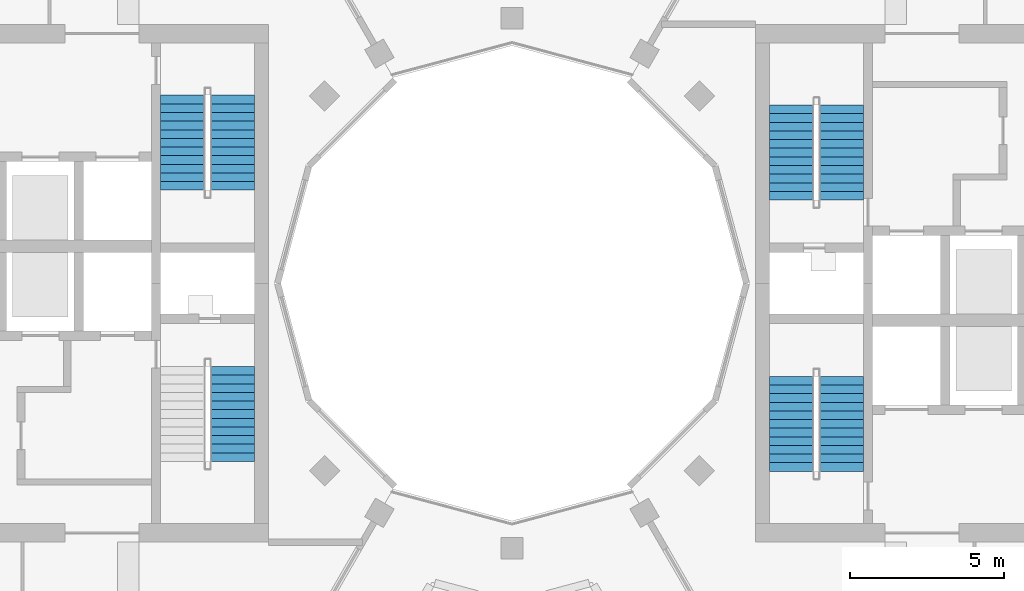
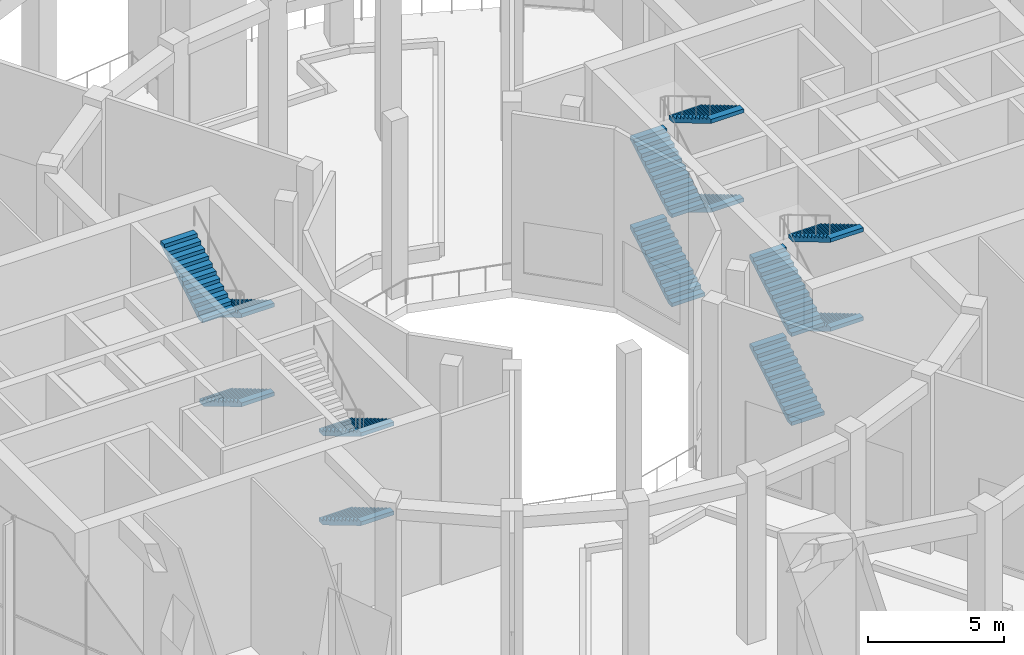
# One storey, part 15 of 18: 13 stair flights, 4 elements without a shape of their own.
"""IFC4 building model written with IfcOpenShell, lengths in metres."""

from ifc_helpers import new_model, si_unit, direction, frame, origin, place, context, subcontext, project, spatial, polyline, outline, extrude, material, layer, layer_set, type_object, element, aggregate, save


model = new_model("IFC4")

# Units and contexts
model_context = context("Model", 3, precision=1e-05, world=origin(), true_north=direction((0.0, 1.0)))
body_context = subcontext(model_context, "Body", "Model", "MODEL_VIEW")
ifc_project = project(units=[si_unit("LENGTHUNIT", "METRE"), si_unit("AREAUNIT", "SQUARE_METRE"), si_unit("VOLUMEUNIT", "CUBIC_METRE"), si_unit("PLANEANGLEUNIT", "RADIAN"), si_unit("MASSUNIT", "GRAM", prefix="KILO")], contexts=[model_context])

# Site, building, storey
site_placement = place(None, origin())
site = spatial("IfcSite", under=ifc_project, at=site_placement, CompositionType="ELEMENT")
building_placement = place(site_placement, origin())
building = spatial("IfcBuilding", under=site, at=building_placement, Name="Torre Brocal", CompositionType="ELEMENT")
storey_placement = place(building_placement, frame((0.0, 0.0, 229.300048828125)))
storey = spatial("IfcBuildingStorey", under=building, at=storey_placement, Name="L53", CompositionType="ELEMENT", Elevation=229.300048828125)

# Stair, stair flights
ifc_material_1 = material(Name="Concrete C50", Category="concrete")
stair_type = type_object("IfcStairType", Name="EXIT STAIR", PredefinedType="HALF_TURN_STAIR", material=ifc_material_1)
stair_1_placement = place(storey_placement, origin())
stair_1 = element("IfcStair", 1, at=stair_1_placement, inside=storey, type_object=stair_type, Name="EXIT STAIR ST1", PredefinedType="HALF_TURN_STAIR")
ifc_material_2 = material(Name="Concrete C50", Category="concrete")
ifc_layer = layer(ifc_material_2, 0.14990234375)
ifc_layer_set = layer_set([ifc_layer], Name="Concrete C50")
stair_flight_type = type_object("IfcStairFlightType", Name="STAIR FLIGHT", PredefinedType="STRAIGHT", material=ifc_layer_set)
stair_flight_1_placement = place(storey_placement, frame((89.050048828125, 77.699951171875, 0.0), z_axis=(0.0, 0.0, 1.0), x_axis=(0.0, 1.0, 0.0)))
stair_flight_1 = element("IfcStairFlight", 2, at=stair_flight_1_placement, type_object=stair_flight_type, Name="ST1 flight 1", NumberOfRisers=12, NumberOfTreads=11, PredefinedType="STRAIGHT", RiserHeight=0.166666667, TreadLength=0.28, context=body_context, shape_type="SweptSolid", body=[
    extrude(outline(polyline([(0.0, 0.0), (0.0, 0.166748046875), (0.280029296875, 0.166748046875), (0.280029296875, 0.333251953125), (0.56005859375, 0.333251953125), (0.56005859375, 0.5), (0.840087890625, 0.5), (0.840087890625, 0.666748046875), (1.1201171875, 0.666748046875), (1.1201171875, 0.833251953125), (1.39990234375, 0.833251953125), (1.39990234375, 1.0), (1.679931640625, 1.0), (1.679931640625, 1.166748046875), (1.9599609375, 1.166748046875), (1.9599609375, 1.333251953125), (2.239990234375, 1.333251953125), (2.239990234375, 1.5), (2.52001953125, 1.5), (2.52001953125, 1.666748046875), (2.800048828125, 1.666748046875), (2.800048828125, 1.833251953125), (3.080078125, 1.833251953125), (3.080078125, 2.0), (3.080078125, 1.658935546875), (0.29296875, 0.0), (0.0, 0.0)])), frame((0.0, 0.699951171875, 0.0), z_axis=(0.0, -1.0, 0.0), x_axis=(1.0, 0.0, 0.0)), (0.0, 0.0, 1.0), 1.39990234375),
])
stair_flight_2_placement = place(storey_placement, frame((90.699951171875, 80.780029296875, 2.0), z_axis=(0.0, 0.0, 1.0), x_axis=(0.0, -1.0, 0.0)))
stair_flight_2 = element("IfcStairFlight", 3, at=stair_flight_2_placement, type_object=stair_flight_type, Name="ST1 flight 2", NumberOfRisers=12, NumberOfTreads=11, PredefinedType="STRAIGHT", RiserHeight=0.166666667, TreadLength=0.28, context=body_context, shape_type="SweptSolid", body=[
    extrude(outline(polyline([(0.0, 0.0), (0.0, 0.166748046875), (0.280029296875, 0.166748046875), (0.280029296875, 0.333251953125), (0.56005859375, 0.333251953125), (0.56005859375, 0.5), (0.840087890625, 0.5), (0.840087890625, 0.666748046875), (1.1201171875, 0.666748046875), (1.1201171875, 0.833251953125), (1.39990234375, 0.833251953125), (1.39990234375, 1.0), (1.679931640625, 1.0), (1.679931640625, 1.166748046875), (1.9599609375, 1.166748046875), (1.9599609375, 1.333251953125), (2.239990234375, 1.333251953125), (2.239990234375, 1.5), (2.52001953125, 1.5), (2.52001953125, 1.666748046875), (2.800048828125, 1.666748046875), (2.800048828125, 1.833251953125), (3.080078125, 1.833251953125), (3.080078125, 2.0), (3.080078125, 1.658935546875), (0.29296875, 0.0), (0.0, 0.0)])), frame((0.0, 0.699951171875, 0.0), z_axis=(0.0, -1.0, 0.0), x_axis=(1.0, 0.0, 0.0)), (0.0, 0.0, 1.0), 1.39990234375),
])
stair_flight_3_placement = place(storey_placement, frame((89.050048828125, 77.699951171875, 4.0), z_axis=(0.0, 0.0, 1.0), x_axis=(0.0, 1.0, 0.0)))
stair_flight_3 = element("IfcStairFlight", 4, at=stair_flight_3_placement, type_object=stair_flight_type, Name="ST1 flight 3", NumberOfRisers=12, NumberOfTreads=11, PredefinedType="STRAIGHT", RiserHeight=0.166666667, TreadLength=0.28, context=body_context, shape_type="SweptSolid", body=[
    extrude(outline(polyline([(0.0, 0.0), (0.0, 0.166748046875), (0.280029296875, 0.166748046875), (0.280029296875, 0.333251953125), (0.56005859375, 0.333251953125), (0.56005859375, 0.5), (0.840087890625, 0.5), (0.840087890625, 0.666748046875), (1.1201171875, 0.666748046875), (1.1201171875, 0.833251953125), (1.39990234375, 0.833251953125), (1.39990234375, 1.0), (1.679931640625, 1.0), (1.679931640625, 1.166748046875), (1.9599609375, 1.166748046875), (1.9599609375, 1.333251953125), (2.239990234375, 1.333251953125), (2.239990234375, 1.5), (2.52001953125, 1.5), (2.52001953125, 1.666748046875), (2.800048828125, 1.666748046875), (2.800048828125, 1.833251953125), (3.080078125, 1.833251953125), (3.080078125, 2.0), (3.080078125, 1.658935546875), (0.29296875, 0.0), (0.0, 0.0)])), frame((0.0, 0.699951171875, 0.0), z_axis=(0.0, -1.0, 0.0), x_axis=(1.0, 0.0, 0.0)), (0.0, 0.0, 1.0), 1.39990234375),
])
stair_flight_4_placement = place(storey_placement, frame((90.699951171875, 80.780029296875, 6.0), z_axis=(0.0, 0.0, 1.0), x_axis=(0.0, -1.0, 0.0)))
stair_flight_4 = element("IfcStairFlight", 5, at=stair_flight_4_placement, type_object=stair_flight_type, Name="ST1 flight 4", NumberOfRisers=12, NumberOfTreads=11, PredefinedType="STRAIGHT", RiserHeight=0.166666667, TreadLength=0.28, context=body_context, shape_type="SweptSolid", body=[
    extrude(outline(polyline([(0.0, 0.0), (0.0, 0.166748046875), (0.280029296875, 0.166748046875), (0.280029296875, 0.333251953125), (0.56005859375, 0.333251953125), (0.56005859375, 0.5), (0.840087890625, 0.5), (0.840087890625, 0.666748046875), (1.1201171875, 0.666748046875), (1.1201171875, 0.833251953125), (1.39990234375, 0.833251953125), (1.39990234375, 1.0), (1.679931640625, 1.0), (1.679931640625, 1.166748046875), (1.9599609375, 1.166748046875), (1.9599609375, 1.333251953125), (2.239990234375, 1.333251953125), (2.239990234375, 1.5), (2.52001953125, 1.5), (2.52001953125, 1.666748046875), (2.800048828125, 1.666748046875), (2.800048828125, 1.833251953125), (3.080078125, 1.833251953125), (3.080078125, 2.0), (3.080078125, 1.658935546875), (0.29296875, 0.0), (0.0, 0.0)])), frame((0.0, 0.699951171875, 0.0), z_axis=(0.0, -1.0, 0.0), x_axis=(1.0, 0.0, 0.0)), (0.0, 0.0, 1.0), 1.39990234375),
])
aggregate(stair_1, [stair_flight_1, stair_flight_2, stair_flight_3, stair_flight_4])

stair_2_placement = place(storey_placement, origin())
stair_2 = element("IfcStair", 6, at=stair_2_placement, inside=storey, type_object=stair_type, Name="EXIT STAIR ST2", PredefinedType="HALF_TURN_STAIR")
stair_flight_5_placement = place(storey_placement, frame((89.050048828125, 68.89990234375, 0.0), z_axis=(0.0, 0.0, 1.0), x_axis=(0.0, 1.0, 0.0)))
stair_flight_5 = element("IfcStairFlight", 7, at=stair_flight_5_placement, type_object=stair_flight_type, Name="ST2 flight 1", NumberOfRisers=12, NumberOfTreads=11, PredefinedType="STRAIGHT", RiserHeight=0.166666667, TreadLength=0.28, context=body_context, shape_type="SweptSolid", body=[
    extrude(outline(polyline([(0.0, 0.0), (0.0, 0.166748046875), (0.280029296875, 0.166748046875), (0.280029296875, 0.333251953125), (0.56005859375, 0.333251953125), (0.56005859375, 0.5), (0.840087890625, 0.5), (0.840087890625, 0.666748046875), (1.1201171875, 0.666748046875), (1.1201171875, 0.833251953125), (1.39990234375, 0.833251953125), (1.39990234375, 1.0), (1.679931640625, 1.0), (1.679931640625, 1.166748046875), (1.9599609375, 1.166748046875), (1.9599609375, 1.333251953125), (2.239990234375, 1.333251953125), (2.239990234375, 1.5), (2.52001953125, 1.5), (2.52001953125, 1.666748046875), (2.800048828125, 1.666748046875), (2.800048828125, 1.833251953125), (3.080078125, 1.833251953125), (3.080078125, 2.0), (3.080078125, 1.658935546875), (0.29296875, 0.0), (0.0, 0.0)])), frame((0.0, 0.699951171875, 0.0), z_axis=(0.0, -1.0, 0.0), x_axis=(1.0, 0.0, 0.0)), (0.0, 0.0, 1.0), 1.39990234375),
])
stair_flight_6_placement = place(storey_placement, frame((90.699951171875, 71.97998046875, 2.0), z_axis=(0.0, 0.0, 1.0), x_axis=(0.0, -1.0, 0.0)))
stair_flight_6 = element("IfcStairFlight", 8, at=stair_flight_6_placement, type_object=stair_flight_type, Name="ST2 flight 2", NumberOfRisers=12, NumberOfTreads=11, PredefinedType="STRAIGHT", RiserHeight=0.166666667, TreadLength=0.28, context=body_context, shape_type="SweptSolid", body=[
    extrude(outline(polyline([(0.0, 0.0), (0.0, 0.166748046875), (0.280029296875, 0.166748046875), (0.280029296875, 0.333251953125), (0.56005859375, 0.333251953125), (0.56005859375, 0.5), (0.840087890625, 0.5), (0.840087890625, 0.666748046875), (1.1201171875, 0.666748046875), (1.1201171875, 0.833251953125), (1.39990234375, 0.833251953125), (1.39990234375, 1.0), (1.679931640625, 1.0), (1.679931640625, 1.166748046875), (1.9599609375, 1.166748046875), (1.9599609375, 1.333251953125), (2.239990234375, 1.333251953125), (2.239990234375, 1.5), (2.52001953125, 1.5), (2.52001953125, 1.666748046875), (2.800048828125, 1.666748046875), (2.800048828125, 1.833251953125), (3.080078125, 1.833251953125), (3.080078125, 2.0), (3.080078125, 1.658935546875), (0.29296875, 0.0), (0.0, 0.0)])), frame((0.0, 0.699951171875, 0.0), z_axis=(0.0, -1.0, 0.0), x_axis=(1.0, 0.0, 0.0)), (0.0, 0.0, 1.0), 1.39990234375),
])
stair_flight_7_placement = place(storey_placement, frame((89.050048828125, 68.89990234375, 4.0), z_axis=(0.0, 0.0, 1.0), x_axis=(0.0, 1.0, 0.0)))
stair_flight_7 = element("IfcStairFlight", 9, at=stair_flight_7_placement, type_object=stair_flight_type, Name="ST2 flight 3", NumberOfRisers=12, NumberOfTreads=11, PredefinedType="STRAIGHT", RiserHeight=0.166666667, TreadLength=0.28, context=body_context, shape_type="SweptSolid", body=[
    extrude(outline(polyline([(0.0, 0.0), (0.0, 0.166748046875), (0.280029296875, 0.166748046875), (0.280029296875, 0.333251953125), (0.56005859375, 0.333251953125), (0.56005859375, 0.5), (0.840087890625, 0.5), (0.840087890625, 0.666748046875), (1.1201171875, 0.666748046875), (1.1201171875, 0.833251953125), (1.39990234375, 0.833251953125), (1.39990234375, 1.0), (1.679931640625, 1.0), (1.679931640625, 1.166748046875), (1.9599609375, 1.166748046875), (1.9599609375, 1.333251953125), (2.239990234375, 1.333251953125), (2.239990234375, 1.5), (2.52001953125, 1.5), (2.52001953125, 1.666748046875), (2.800048828125, 1.666748046875), (2.800048828125, 1.833251953125), (3.080078125, 1.833251953125), (3.080078125, 2.0), (3.080078125, 1.658935546875), (0.29296875, 0.0), (0.0, 0.0)])), frame((0.0, 0.699951171875, 0.0), z_axis=(0.0, -1.0, 0.0), x_axis=(1.0, 0.0, 0.0)), (0.0, 0.0, 1.0), 1.39990234375),
])
stair_flight_8_placement = place(storey_placement, frame((90.699951171875, 71.97998046875, 6.0), z_axis=(0.0, 0.0, 1.0), x_axis=(0.0, -1.0, 0.0)))
stair_flight_8 = element("IfcStairFlight", 10, at=stair_flight_8_placement, type_object=stair_flight_type, Name="ST2 flight 4", NumberOfRisers=12, NumberOfTreads=11, PredefinedType="STRAIGHT", RiserHeight=0.166666667, TreadLength=0.28, context=body_context, shape_type="SweptSolid", body=[
    extrude(outline(polyline([(0.0, 0.0), (0.0, 0.166748046875), (0.280029296875, 0.166748046875), (0.280029296875, 0.333251953125), (0.56005859375, 0.333251953125), (0.56005859375, 0.5), (0.840087890625, 0.5), (0.840087890625, 0.666748046875), (1.1201171875, 0.666748046875), (1.1201171875, 0.833251953125), (1.39990234375, 0.833251953125), (1.39990234375, 1.0), (1.679931640625, 1.0), (1.679931640625, 1.166748046875), (1.9599609375, 1.166748046875), (1.9599609375, 1.333251953125), (2.239990234375, 1.333251953125), (2.239990234375, 1.5), (2.52001953125, 1.5), (2.52001953125, 1.666748046875), (2.800048828125, 1.666748046875), (2.800048828125, 1.833251953125), (3.080078125, 1.833251953125), (3.080078125, 2.0), (3.080078125, 1.658935546875), (0.29296875, 0.0), (0.0, 0.0)])), frame((0.0, 0.699951171875, 0.0), z_axis=(0.0, -1.0, 0.0), x_axis=(1.0, 0.0, 0.0)), (0.0, 0.0, 1.0), 1.39990234375),
])
aggregate(stair_2, [stair_flight_5, stair_flight_6, stair_flight_7, stair_flight_8])

stair_3_placement = place(storey_placement, origin())
stair_3 = element("IfcStair", 11, at=stair_3_placement, inside=storey, type_object=stair_type, Name="EXIT STAIR ST3", PredefinedType="HALF_TURN_STAIR")
stair_flight_9_placement = place(storey_placement, frame((70.949951171875, 72.300048828125, 0.0), z_axis=(0.0, 0.0, 1.0), x_axis=(0.0, -1.0, 0.0)))
stair_flight_9 = element("IfcStairFlight", 12, at=stair_flight_9_placement, type_object=stair_flight_type, Name="ST3 flight 1", NumberOfRisers=12, NumberOfTreads=11, PredefinedType="STRAIGHT", RiserHeight=0.166666667, TreadLength=0.28, context=body_context, shape_type="SweptSolid", body=[
    extrude(outline(polyline([(0.0, 0.0), (0.0, 0.166748046875), (0.280029296875, 0.166748046875), (0.280029296875, 0.333251953125), (0.56005859375, 0.333251953125), (0.56005859375, 0.5), (0.840087890625, 0.5), (0.840087890625, 0.666748046875), (1.1201171875, 0.666748046875), (1.1201171875, 0.833251953125), (1.39990234375, 0.833251953125), (1.39990234375, 1.0), (1.679931640625, 1.0), (1.679931640625, 1.166748046875), (1.9599609375, 1.166748046875), (1.9599609375, 1.333251953125), (2.239990234375, 1.333251953125), (2.239990234375, 1.5), (2.52001953125, 1.5), (2.52001953125, 1.666748046875), (2.800048828125, 1.666748046875), (2.800048828125, 1.833251953125), (3.080078125, 1.833251953125), (3.080078125, 2.0), (3.080078125, 1.658935546875), (0.29296875, 0.0), (0.0, 0.0)])), frame((0.0, 0.699951171875, 0.0), z_axis=(0.0, -1.0, 0.0), x_axis=(1.0, 0.0, 0.0)), (0.0, 0.0, 1.0), 1.39990234375),
])
stair_flight_10_placement = place(storey_placement, frame((70.949951171875, 72.300048828125, 4.0), z_axis=(0.0, 0.0, 1.0), x_axis=(0.0, -1.0, 0.0)))
stair_flight_10 = element("IfcStairFlight", 13, at=stair_flight_10_placement, type_object=stair_flight_type, Name="ST3 flight 3", NumberOfRisers=12, NumberOfTreads=11, PredefinedType="STRAIGHT", RiserHeight=0.166666667, TreadLength=0.28, context=body_context, shape_type="SweptSolid", body=[
    extrude(outline(polyline([(0.0, 0.0), (0.0, 0.166748046875), (0.280029296875, 0.166748046875), (0.280029296875, 0.333251953125), (0.56005859375, 0.333251953125), (0.56005859375, 0.5), (0.840087890625, 0.5), (0.840087890625, 0.666748046875), (1.1201171875, 0.666748046875), (1.1201171875, 0.833251953125), (1.39990234375, 0.833251953125), (1.39990234375, 1.0), (1.679931640625, 1.0), (1.679931640625, 1.166748046875), (1.9599609375, 1.166748046875), (1.9599609375, 1.333251953125), (2.239990234375, 1.333251953125), (2.239990234375, 1.5), (2.52001953125, 1.5), (2.52001953125, 1.666748046875), (2.800048828125, 1.666748046875), (2.800048828125, 1.833251953125), (3.080078125, 1.833251953125), (3.080078125, 2.0), (3.080078125, 1.658935546875), (0.29296875, 0.0), (0.0, 0.0)])), frame((0.0, 0.699951171875, 0.0), z_axis=(0.0, -1.0, 0.0), x_axis=(1.0, 0.0, 0.0)), (0.0, 0.0, 1.0), 1.39990234375),
])
aggregate(stair_3, [stair_flight_9, stair_flight_10])

stair_4_placement = place(storey_placement, origin())
stair_4 = element("IfcStair", 14, at=stair_4_placement, inside=storey, type_object=stair_type, Name="EXIT STAIR ST4", PredefinedType="HALF_TURN_STAIR")
stair_flight_11_placement = place(storey_placement, frame((70.949951171875, 81.10009765625, 0.0), z_axis=(0.0, 0.0, 1.0), x_axis=(0.0, -1.0, 0.0)))
stair_flight_11 = element("IfcStairFlight", 15, at=stair_flight_11_placement, type_object=stair_flight_type, Name="ST4 flight 1", NumberOfRisers=12, NumberOfTreads=11, PredefinedType="STRAIGHT", RiserHeight=0.166666667, TreadLength=0.28, context=body_context, shape_type="SweptSolid", body=[
    extrude(outline(polyline([(0.0, 0.0), (0.0, 0.166748046875), (0.280029296875, 0.166748046875), (0.280029296875, 0.333251953125), (0.56005859375, 0.333251953125), (0.56005859375, 0.5), (0.840087890625, 0.5), (0.840087890625, 0.666748046875), (1.1201171875, 0.666748046875), (1.1201171875, 0.833251953125), (1.39990234375, 0.833251953125), (1.39990234375, 1.0), (1.679931640625, 1.0), (1.679931640625, 1.166748046875), (1.9599609375, 1.166748046875), (1.9599609375, 1.333251953125), (2.239990234375, 1.333251953125), (2.239990234375, 1.5), (2.52001953125, 1.5), (2.52001953125, 1.666748046875), (2.800048828125, 1.666748046875), (2.800048828125, 1.833251953125), (3.080078125, 1.833251953125), (3.080078125, 2.0), (3.080078125, 1.658935546875), (0.29296875, 0.0), (0.0, 0.0)])), frame((0.0, 0.699951171875, 0.0), z_axis=(0.0, -1.0, 0.0), x_axis=(1.0, 0.0, 0.0)), (0.0, 0.0, 1.0), 1.39990234375),
])
stair_flight_12_placement = place(storey_placement, frame((70.949951171875, 81.10009765625, 4.0), z_axis=(0.0, 0.0, 1.0), x_axis=(0.0, -1.0, 0.0)))
stair_flight_12 = element("IfcStairFlight", 16, at=stair_flight_12_placement, type_object=stair_flight_type, Name="ST4 flight 3", NumberOfRisers=12, NumberOfTreads=11, PredefinedType="STRAIGHT", RiserHeight=0.166666667, TreadLength=0.28, context=body_context, shape_type="SweptSolid", body=[
    extrude(outline(polyline([(0.0, 0.0), (0.0, 0.166748046875), (0.280029296875, 0.166748046875), (0.280029296875, 0.333251953125), (0.56005859375, 0.333251953125), (0.56005859375, 0.5), (0.840087890625, 0.5), (0.840087890625, 0.666748046875), (1.1201171875, 0.666748046875), (1.1201171875, 0.833251953125), (1.39990234375, 0.833251953125), (1.39990234375, 1.0), (1.679931640625, 1.0), (1.679931640625, 1.166748046875), (1.9599609375, 1.166748046875), (1.9599609375, 1.333251953125), (2.239990234375, 1.333251953125), (2.239990234375, 1.5), (2.52001953125, 1.5), (2.52001953125, 1.666748046875), (2.800048828125, 1.666748046875), (2.800048828125, 1.833251953125), (3.080078125, 1.833251953125), (3.080078125, 2.0), (3.080078125, 1.658935546875), (0.29296875, 0.0), (0.0, 0.0)])), frame((0.0, 0.699951171875, 0.0), z_axis=(0.0, -1.0, 0.0), x_axis=(1.0, 0.0, 0.0)), (0.0, 0.0, 1.0), 1.39990234375),
])
stair_flight_13_placement = place(storey_placement, frame((69.300048828125, 78.02001953125, 6.0), z_axis=(0.0, 0.0, 1.0), x_axis=(0.0, 1.0, 0.0)))
stair_flight_13 = element("IfcStairFlight", 17, at=stair_flight_13_placement, type_object=stair_flight_type, Name="ST4 flight 4", NumberOfRisers=12, NumberOfTreads=11, PredefinedType="STRAIGHT", RiserHeight=0.166666667, TreadLength=0.28, context=body_context, shape_type="SweptSolid", body=[
    extrude(outline(polyline([(0.0, 0.0), (0.0, 0.166748046875), (0.280029296875, 0.166748046875), (0.280029296875, 0.333251953125), (0.56005859375, 0.333251953125), (0.56005859375, 0.5), (0.840087890625, 0.5), (0.840087890625, 0.666748046875), (1.1201171875, 0.666748046875), (1.1201171875, 0.833251953125), (1.39990234375, 0.833251953125), (1.39990234375, 1.0), (1.679931640625, 1.0), (1.679931640625, 1.166748046875), (1.9599609375, 1.166748046875), (1.9599609375, 1.333251953125), (2.239990234375, 1.333251953125), (2.239990234375, 1.5), (2.52001953125, 1.5), (2.52001953125, 1.666748046875), (2.800048828125, 1.666748046875), (2.800048828125, 1.833251953125), (3.080078125, 1.833251953125), (3.080078125, 2.0), (3.080078125, 1.658935546875), (0.29296875, 0.0), (0.0, 0.0)])), frame((0.0, 0.699951171875, 0.0), z_axis=(0.0, -1.0, 0.0), x_axis=(1.0, 0.0, 0.0)), (0.0, 0.0, 1.0), 1.39990234375),
])
aggregate(stair_4, [stair_flight_11, stair_flight_12, stair_flight_13])

save(model, "model.ifc")
